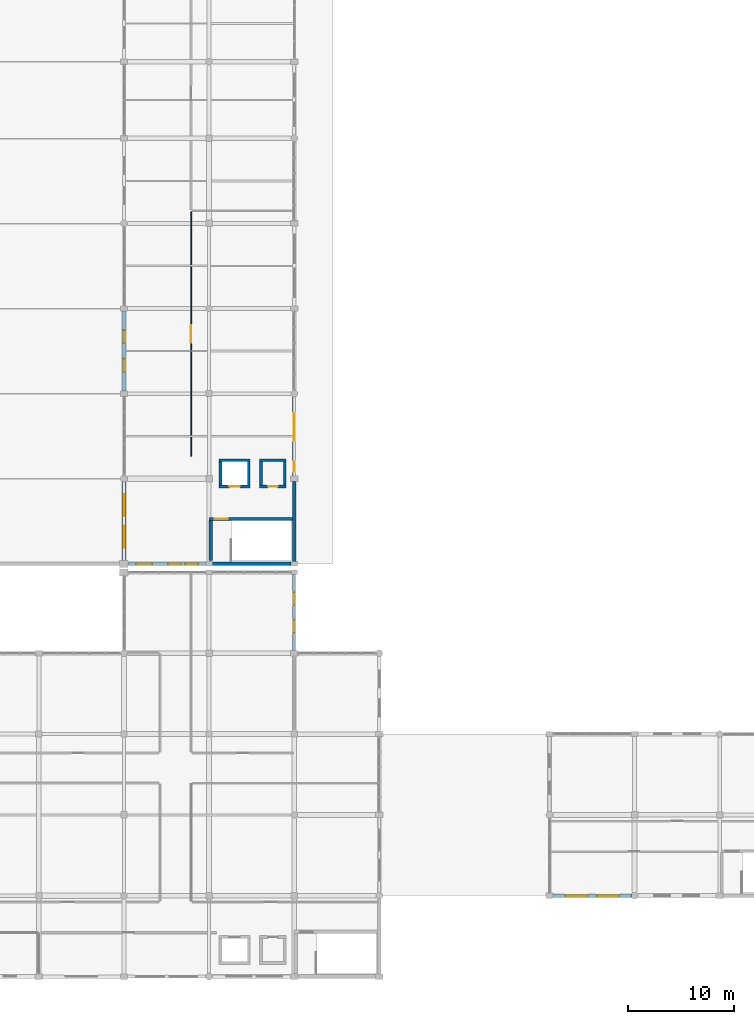
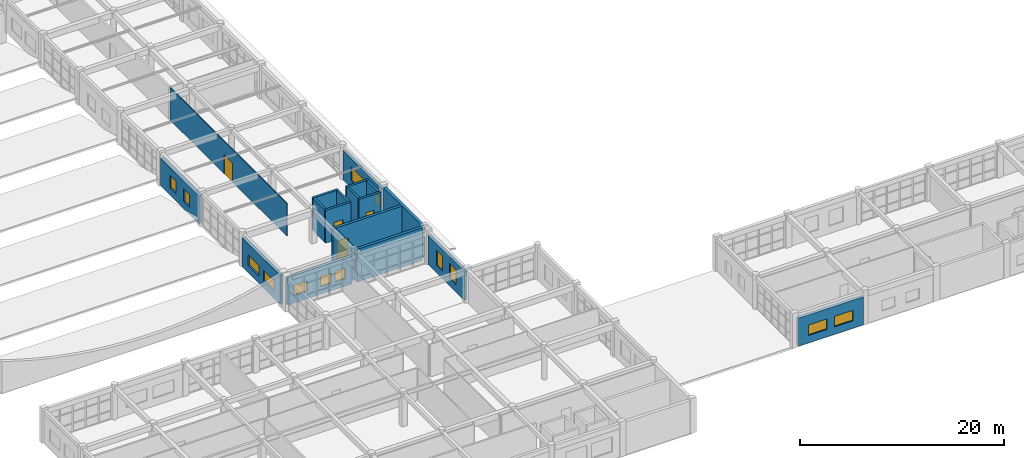
# One storey, part 103 of 121: 19 walls, 13 windows, 4 doors, 17 openings.
"""IFC4 building model written with IfcOpenShell, lengths in metres."""

from ifc_helpers import new_model, si_unit, direction, frame, frame_2d, origin, place, context, subcontext, project, spatial, rectangle, extrude, material, layer, layer_set, type_object, element, fill, save


model = new_model("IFC4")

# Units and contexts
model_context = context("Model", 3, precision=1e-05, world=origin(), true_north=direction((0.0, 1.0)))
body_context = subcontext(model_context, "Body", "Model", "MODEL_VIEW")
ifc_project = project(units=[si_unit("LENGTHUNIT", "METRE"), si_unit("AREAUNIT", "SQUARE_METRE"), si_unit("VOLUMEUNIT", "CUBIC_METRE"), si_unit("PLANEANGLEUNIT", "RADIAN"), si_unit("MASSUNIT", "GRAM", prefix="KILO")], contexts=[model_context])

# Site, building, storey
site_placement = place(None, origin())
site = spatial("IfcSite", under=ifc_project, at=site_placement, CompositionType="ELEMENT")
building_placement = place(site_placement, origin())
building = spatial("IfcBuilding", under=site, at=building_placement, Name="Kharva Crest Polytechnic", CompositionType="ELEMENT")
storey_placement = place(building_placement, frame((0.0, 0.0, 13.199951171875)))
storey = spatial("IfcBuildingStorey", under=building, at=storey_placement, Name="L03", CompositionType="ELEMENT", Elevation=13.199951171875)

# Wall, opening, door
ifc_material_1 = material(Name="Concrete C40/50", Category="concrete")
ifc_layer_1 = layer(ifc_material_1, 0.300048828125, Name="Concrete C40/50")
ifc_layer_set_1 = layer_set([ifc_layer_1], Name="Concrete C40/50")
wall_type_1 = type_object("IfcWallType", Name="WL-CORE-CW2-300", PredefinedType="SHEAR", material=ifc_layer_set_1)
wall_1_placement = place(storey_placement, frame((40.0, 43.010009765625, 0.0), z_axis=(0.0, 0.0, 1.0), x_axis=(1.0, 0.0, 0.0)))
wall_1 = element("IfcWall", 1, at=wall_1_placement, inside=storey, type_object=wall_type_1, Name="L03 West Workshop Core C2 North Shear Wall", PredefinedType="SHEAR", context=body_context, shape_type="SweptSolid", body=[
    extrude(rectangle(XDim=8.0, YDim=0.300048828125, at=frame_2d((4.0, 0.0))), origin(), (0.0, 0.0, 1.0), 3.920166015625),
])
opening_1_placement = place(wall_1_placement, frame((0.550048828125, 0.0, 0.0)))
opening_1 = element("IfcOpeningElement", 2, at=opening_1_placement, cuts=wall_1, Name="Opening FD1", PredefinedType="OPENING", context=body_context, shape_type="SweptSolid", body=[
    extrude(rectangle(XDim=1.199951171875, YDim=2.199951171875, at=frame_2d((0.60009765625, 1.10009765625))), frame((0.0, 0.159912109375, 0.0), z_axis=(0.0, -1.0, 0.0), x_axis=(1.0, 0.0, 0.0)), (0.0, 0.0, 1.0), 0.320068359375),
])
ifc_material_2 = material(Name="Teak timber", Category="wood")
door_type_1 = type_object("IfcDoorType", Name="DR-STAIR-1200X2200", OperationType="NOTDEFINED", PredefinedType="DOOR", material=ifc_material_2)
door_1_placement = place(opening_1_placement, origin())
door_1 = element("IfcDoor", 3, at=door_1_placement, inside=storey, type_object=door_type_1, Name="L03 ST-02 Stair Door", OperationType="SINGLE_SWING_LEFT", OverallHeight=2.199951171875, OverallWidth=1.199951171875, PredefinedType="DOOR", context=body_context, shape_type="SweptSolid", body=[
    extrude(rectangle(XDim=1.199951171875, YDim=2.199951171875, at=frame_2d((0.60009765625, 1.10009765625))), frame((0.0, 0.02490234375, 0.0), z_axis=(0.0, -1.0, 0.0), x_axis=(1.0, 0.0, 0.0)), (0.0, 0.0, 1.0), 0.050048828125),
])
fill(opening_1, door_1)

# Wall
wall_2_placement = place(storey_placement, frame((40.14990234375, 39.10009765625, 0.0), z_axis=(0.0, 0.0, 1.0), x_axis=(0.0, 1.0, 0.0)))
element("IfcWall", 4, at=wall_2_placement, inside=storey, type_object=wall_type_1, Name="L03 West Workshop Core C2 West Shear Wall", PredefinedType="SHEAR", context=body_context, shape_type="SweptSolid", body=[
    extrude(rectangle(XDim=3.760009765625, YDim=0.300048828125, at=frame_2d((1.8798828125, 0.0))), origin(), (0.0, 0.0, 1.0), 3.920166015625),
])

# Wall, openings, windows
ifc_material_3 = material(Name="Kiln brick masonry", Category="masonry")
ifc_layer_2 = layer(ifc_material_3, 0.27490234375, Name="Kiln brick masonry")
ifc_layer_set_2 = layer_set([ifc_layer_2], Name="Kiln brick masonry")
wall_type_2 = type_object("IfcWallType", Name="WL-EXT-BRK-275", PredefinedType="SOLIDWALL", material=ifc_layer_set_2)
wall_3_placement = place(storey_placement, frame((48.0, 30.64501953125, 0.0), z_axis=(0.0, 0.0, 1.0), x_axis=(0.0, 1.0, 0.0)))
wall_3 = element("IfcWall", 5, at=wall_3_placement, inside=storey, type_object=wall_type_2, Name="L03 Exterior Brick Wall 308", PredefinedType="SOLIDWALL", context=body_context, shape_type="SweptSolid", body=[
    extrude(rectangle(XDim=7.159912109375, YDim=0.27490234375, at=frame_2d((3.580078125, 0.0))), origin(), (0.0, 0.0, 1.0), 3.5),
])
opening_2_placement = place(wall_3_placement, frame((1.693115234375, 0.0, 0.89990234375)))
opening_2 = element("IfcOpeningElement", 6, at=opening_2_placement, cuts=wall_3, Name="Opening W08", PredefinedType="OPENING", context=body_context, shape_type="SweptSolid", body=[
    extrude(rectangle(XDim=1.199951171875, YDim=1.800048828125, at=frame_2d((0.60009765625, 0.89990234375))), frame((0.0, 0.1474609375, 0.0), z_axis=(0.0, -1.0, 0.0), x_axis=(1.0, 0.0, 0.0)), (0.0, 0.0, 1.0), 0.294921875),
])
opening_3_placement = place(wall_3_placement, frame((4.26708984375, 0.0, 0.89990234375)))
opening_3 = element("IfcOpeningElement", 7, at=opening_3_placement, cuts=wall_3, Name="Opening W08", PredefinedType="OPENING", context=body_context, shape_type="SweptSolid", body=[
    extrude(rectangle(XDim=1.199951171875, YDim=1.800048828125, at=frame_2d((0.60009765625, 0.89990234375))), frame((0.0, 0.1474609375, 0.0), z_axis=(0.0, -1.0, 0.0), x_axis=(1.0, 0.0, 0.0)), (0.0, 0.0, 1.0), 0.294921875),
])
ifc_material_4 = material(Name="Anodised aluminium", Category="aluminium")
window_type_1 = type_object("IfcWindowType", Name="WIN-ALU-1200X1800", PartitioningType="SINGLE_PANEL", PredefinedType="WINDOW", material=ifc_material_4)
window_1_placement = place(opening_2_placement, origin())
window_1 = element("IfcWindow", 8, at=window_1_placement, inside=storey, type_object=window_type_1, Name="L03 Exterior Window 412", OverallHeight=1.800048828125, OverallWidth=1.199951171875, PartitioningType="SINGLE_PANEL", PredefinedType="WINDOW", context=body_context, shape_type="SweptSolid", body=[
    extrude(rectangle(XDim=1.199951171875, YDim=1.800048828125, at=frame_2d((0.60009765625, 0.89990234375))), frame((0.0, 0.030029296875, 0.0), z_axis=(0.0, -1.0, 0.0), x_axis=(1.0, 0.0, 0.0)), (0.0, 0.0, 1.0), 0.06005859375),
])
fill(opening_2, window_1)
window_2_placement = place(opening_3_placement, origin())
window_2 = element("IfcWindow", 9, at=window_2_placement, inside=storey, type_object=window_type_1, Name="L03 Exterior Window 413", OverallHeight=1.800048828125, OverallWidth=1.199951171875, PartitioningType="SINGLE_PANEL", PredefinedType="WINDOW", context=body_context, shape_type="SweptSolid", body=[
    extrude(rectangle(XDim=1.199951171875, YDim=1.800048828125, at=frame_2d((0.60009765625, 0.89990234375))), frame((0.0, 0.030029296875, 0.0), z_axis=(0.0, -1.0, 0.0), x_axis=(1.0, 0.0, 0.0)), (0.0, 0.0, 1.0), 0.06005859375),
])
fill(opening_3, window_2)

ifc_layer_3 = layer(ifc_material_3, 0.2900390625, Name="Kiln brick masonry")
ifc_layer_set_3 = layer_set([ifc_layer_3], Name="Kiln brick masonry")
wall_type_3 = type_object("IfcWallType", Name="WL-EXT-BRK-290", PredefinedType="SOLIDWALL", material=ifc_layer_set_3)
wall_4_placement = place(storey_placement, frame((48.0, 47.044921875, 0.0), z_axis=(0.0, 0.0, 1.0), x_axis=(0.0, 1.0, 0.0)))
wall_4 = element("IfcWall", 10, at=wall_4_placement, inside=storey, type_object=wall_type_3, Name="L03 Exterior Brick Wall 364", PredefinedType="SOLIDWALL", context=body_context, shape_type="SweptSolid", body=[
    extrude(rectangle(XDim=7.486328125, YDim=0.2900390625, at=frame_2d((3.7431640625, 0.0))), origin(), (0.0, 0.0, 1.0), 3.52001953125),
])
opening_4_placement = place(wall_4_placement, frame((0.402099609375, 0.0, 0.89990234375)))
opening_4 = element("IfcOpeningElement", 11, at=opening_4_placement, cuts=wall_4, Name="Opening W22", PredefinedType="OPENING", context=body_context, shape_type="SweptSolid", body=[
    extrude(rectangle(XDim=0.949951171875, YDim=1.25, at=frame_2d((0.47509765625, 0.625))), frame((0.0, 0.155029296875, 0.0), z_axis=(0.0, -1.0, 0.0), x_axis=(1.0, 0.0, 0.0)), (0.0, 0.0, 1.0), 0.31005859375),
])
opening_5_placement = place(wall_4_placement, frame((3.321044921875, 0.0, 0.89990234375)))
opening_5 = element("IfcOpeningElement", 12, at=opening_5_placement, cuts=wall_4, Name="Opening W24", PredefinedType="OPENING", context=body_context, shape_type="SweptSolid", body=[
    extrude(rectangle(XDim=2.60009765625, YDim=1.64990234375, at=frame_2d((1.300048828125, 0.824951171875))), frame((0.0, 0.155029296875, 0.0), z_axis=(0.0, -1.0, 0.0), x_axis=(1.0, 0.0, 0.0)), (0.0, 0.0, 1.0), 0.31005859375),
])
window_type_2 = type_object("IfcWindowType", Name="WIN-ALU-2600X1650", PartitioningType="SINGLE_PANEL", PredefinedType="WINDOW", material=ifc_material_4)
window_3_placement = place(opening_5_placement, origin())
window_3 = element("IfcWindow", 13, at=window_3_placement, inside=storey, type_object=window_type_2, Name="L03 Exterior Window 500", OverallHeight=1.64990234375, OverallWidth=2.60009765625, PartitioningType="SINGLE_PANEL", PredefinedType="WINDOW", context=body_context, shape_type="SweptSolid", body=[
    extrude(rectangle(XDim=2.60009765625, YDim=1.64990234375, at=frame_2d((1.300048828125, 0.824951171875))), frame((0.0, 0.030029296875, 0.0), z_axis=(0.0, -1.0, 0.0), x_axis=(1.0, 0.0, 0.0)), (0.0, 0.0, 1.0), 0.06005859375),
])
fill(opening_5, window_3)
window_type_3 = type_object("IfcWindowType", Name="WIN-ALU-950X1250", PartitioningType="SINGLE_PANEL", PredefinedType="WINDOW", material=ifc_material_4)
window_4_placement = place(opening_4_placement, origin())
window_4 = element("IfcWindow", 14, at=window_4_placement, inside=storey, type_object=window_type_3, Name="L03 Exterior Window 499", OverallHeight=1.25, OverallWidth=0.949951171875, PartitioningType="SINGLE_PANEL", PredefinedType="WINDOW", context=body_context, shape_type="SweptSolid", body=[
    extrude(rectangle(XDim=0.949951171875, YDim=1.25, at=frame_2d((0.47509765625, 0.625))), frame((0.0, 0.030029296875, 0.0), z_axis=(0.0, -1.0, 0.0), x_axis=(1.0, 0.0, 0.0)), (0.0, 0.0, 1.0), 0.06005859375),
])
fill(opening_4, window_4)

# Walls
ifc_layer_4 = layer(ifc_material_3, 0.304931640625, Name="Kiln brick masonry")
ifc_layer_set_4 = layer_set([ifc_layer_4], Name="Kiln brick masonry")
wall_type_4 = type_object("IfcWallType", Name="WL-EXT-BRK-305", PredefinedType="SOLIDWALL", material=ifc_layer_set_4)
wall_5_placement = place(storey_placement, frame((48.0, 38.9951171875, 0.0), z_axis=(0.0, 0.0, 1.0), x_axis=(0.0, 1.0, 0.0)))
element("IfcWall", 15, at=wall_5_placement, inside=storey, type_object=wall_type_4, Name="L03 Exterior Brick Wall 363", PredefinedType="SOLIDWALL", context=body_context, shape_type="SweptSolid", body=[
    extrude(rectangle(XDim=7.559814453125, YDim=0.304931640625, at=frame_2d((3.77978515625, 0.0))), origin(), (0.0, 0.0, 1.0), 3.920166015625),
])
ifc_layer_5 = layer(ifc_material_3, 0.320068359375, Name="Kiln brick masonry")
ifc_layer_set_5 = layer_set([ifc_layer_5], Name="Kiln brick masonry")
wall_type_5 = type_object("IfcWallType", Name="WL-EXT-BRK-320", PredefinedType="SOLIDWALL", material=ifc_layer_set_5)
wall_6_placement = place(storey_placement, frame((40.294921875, 38.800048828125, 0.0), z_axis=(0.0, 0.0, 1.0), x_axis=(1.0, 0.0, 0.0)))
element("IfcWall", 16, at=wall_6_placement, inside=storey, type_object=wall_type_5, Name="L03 Exterior Brick Wall 362", PredefinedType="SOLIDWALL", context=body_context, shape_type="SweptSolid", body=[
    extrude(rectangle(XDim=7.41015625, YDim=0.320068359375, at=frame_2d((3.705078125, 0.0))), origin(), (0.0, 0.0, 1.0), 3.920166015625),
])

# Wall, openings, windows
ifc_layer_6 = layer(ifc_material_3, 0.3349609375, Name="Kiln brick masonry")
ifc_layer_set_6 = layer_set([ifc_layer_6], Name="Kiln brick masonry")
wall_type_6 = type_object("IfcWallType", Name="WL-EXT-BRK-335", PredefinedType="SOLIDWALL", material=ifc_layer_set_6)
wall_7_placement = place(storey_placement, frame((72.3349609375, 7.60009765625, 0.0), z_axis=(0.0, 0.0, 1.0), x_axis=(1.0, 0.0, 0.0)))
wall_7 = element("IfcWall", 17, at=wall_7_placement, inside=storey, type_object=wall_type_6, Name="L03 Exterior Brick Wall 314", PredefinedType="SOLIDWALL", context=body_context, shape_type="SweptSolid", body=[
    extrude(rectangle(XDim=7.396240234375, YDim=0.3349609375, at=frame_2d((3.6982421875, 0.0))), origin(), (0.0, 0.0, 1.0), 3.360107421875),
])
opening_6_placement = place(wall_7_placement, frame((1.172119140625, 0.0, 0.89990234375)))
opening_6 = element("IfcOpeningElement", 18, at=opening_6_placement, cuts=wall_7, Name="Opening W18", PredefinedType="OPENING", context=body_context, shape_type="SweptSolid", body=[
    extrude(rectangle(XDim=2.10009765625, YDim=1.25, at=frame_2d((1.050048828125, 0.625))), frame((0.0, 0.177490234375, 0.0), z_axis=(0.0, -1.0, 0.0), x_axis=(1.0, 0.0, 0.0)), (0.0, 0.0, 1.0), 0.35498046875),
])
opening_7_placement = place(wall_7_placement, frame((4.1240234375, 0.0, 0.89990234375)))
opening_7 = element("IfcOpeningElement", 19, at=opening_7_placement, cuts=wall_7, Name="Opening W18", PredefinedType="OPENING", context=body_context, shape_type="SweptSolid", body=[
    extrude(rectangle(XDim=2.10009765625, YDim=1.25, at=frame_2d((1.050048828125, 0.625))), frame((0.0, 0.177490234375, 0.0), z_axis=(0.0, -1.0, 0.0), x_axis=(1.0, 0.0, 0.0)), (0.0, 0.0, 1.0), 0.35498046875),
])
window_type_4 = type_object("IfcWindowType", Name="WIN-ALU-2100X1250", PartitioningType="SINGLE_PANEL", PredefinedType="WINDOW", material=ifc_material_4)
window_5_placement = place(opening_6_placement, origin())
window_5 = element("IfcWindow", 20, at=window_5_placement, inside=storey, type_object=window_type_4, Name="L03 Exterior Window 422", OverallHeight=1.25, OverallWidth=2.10009765625, PartitioningType="SINGLE_PANEL", PredefinedType="WINDOW", context=body_context, shape_type="SweptSolid", body=[
    extrude(rectangle(XDim=2.10009765625, YDim=1.25, at=frame_2d((1.050048828125, 0.625))), frame((0.0, 0.030029296875, 0.0), z_axis=(0.0, -1.0, 0.0), x_axis=(1.0, 0.0, 0.0)), (0.0, 0.0, 1.0), 0.06005859375),
])
fill(opening_6, window_5)
window_6_placement = place(opening_7_placement, origin())
window_6 = element("IfcWindow", 21, at=window_6_placement, inside=storey, type_object=window_type_4, Name="L03 Exterior Window 423", OverallHeight=1.25, OverallWidth=2.10009765625, PartitioningType="SINGLE_PANEL", PredefinedType="WINDOW", context=body_context, shape_type="SweptSolid", body=[
    extrude(rectangle(XDim=2.10009765625, YDim=1.25, at=frame_2d((1.050048828125, 0.625))), frame((0.0, 0.030029296875, 0.0), z_axis=(0.0, -1.0, 0.0), x_axis=(1.0, 0.0, 0.0)), (0.0, 0.0, 1.0), 0.06005859375),
])
fill(opening_7, window_6)

wall_8_placement = place(storey_placement, frame((32.39501953125, 38.800048828125, 0.0), z_axis=(0.0, 0.0, 1.0), x_axis=(1.0, 0.0, 0.0)))
wall_8 = element("IfcWall", 22, at=wall_8_placement, inside=storey, type_object=wall_type_6, Name="L03 Exterior Brick Wall 361", PredefinedType="SOLIDWALL", context=body_context, shape_type="SweptSolid", body=[
    extrude(rectangle(XDim=7.31005859375, YDim=0.3349609375, at=frame_2d((3.655029296875, 0.0))), origin(), (0.0, 0.0, 1.0), 3.31005859375),
])
opening_8_placement = place(wall_8_placement, frame((0.7529296875, 0.0, 0.89990234375)))
opening_8 = element("IfcOpeningElement", 23, at=opening_8_placement, cuts=wall_8, Name="Opening W20", PredefinedType="OPENING", context=body_context, shape_type="SweptSolid", body=[
    extrude(rectangle(XDim=1.5, YDim=1.25, at=frame_2d((0.75, 0.625))), frame((0.0, 0.177490234375, 0.0), z_axis=(0.0, -1.0, 0.0), x_axis=(1.0, 0.0, 0.0)), (0.0, 0.0, 1.0), 0.35498046875),
])
opening_9_placement = place(wall_8_placement, frame((3.7470703125, 0.0, 0.89990234375)))
opening_9 = element("IfcOpeningElement", 24, at=opening_9_placement, cuts=wall_8, Name="Opening W21", PredefinedType="OPENING", context=body_context, shape_type="SweptSolid", body=[
    extrude(rectangle(XDim=1.199951171875, YDim=1.25, at=frame_2d((0.60009765625, 0.625))), frame((0.0, 0.177490234375, 0.0), z_axis=(0.0, -1.0, 0.0), x_axis=(1.0, 0.0, 0.0)), (0.0, 0.0, 1.0), 0.35498046875),
])
opening_10_placement = place(wall_8_placement, frame((5.367919921875, 0.0, 0.89990234375)))
opening_10 = element("IfcOpeningElement", 25, at=opening_10_placement, cuts=wall_8, Name="Opening W21", PredefinedType="OPENING", context=body_context, shape_type="SweptSolid", body=[
    extrude(rectangle(XDim=1.199951171875, YDim=1.25, at=frame_2d((0.60009765625, 0.625))), frame((0.0, 0.177490234375, 0.0), z_axis=(0.0, -1.0, 0.0), x_axis=(1.0, 0.0, 0.0)), (0.0, 0.0, 1.0), 0.35498046875),
])
window_type_5 = type_object("IfcWindowType", Name="WIN-ALU-1200X1250", PartitioningType="SINGLE_PANEL", PredefinedType="WINDOW", material=ifc_material_4)
window_7_placement = place(opening_9_placement, origin())
window_7 = element("IfcWindow", 26, at=window_7_placement, inside=storey, type_object=window_type_5, Name="L03 Exterior Window 497", OverallHeight=1.25, OverallWidth=1.199951171875, PartitioningType="SINGLE_PANEL", PredefinedType="WINDOW", context=body_context, shape_type="SweptSolid", body=[
    extrude(rectangle(XDim=1.199951171875, YDim=1.25, at=frame_2d((0.60009765625, 0.625))), frame((0.0, 0.030029296875, 0.0), z_axis=(0.0, -1.0, 0.0), x_axis=(1.0, 0.0, 0.0)), (0.0, 0.0, 1.0), 0.06005859375),
])
fill(opening_9, window_7)
window_8_placement = place(opening_10_placement, origin())
window_8 = element("IfcWindow", 27, at=window_8_placement, inside=storey, type_object=window_type_5, Name="L03 Exterior Window 498", OverallHeight=1.25, OverallWidth=1.199951171875, PartitioningType="SINGLE_PANEL", PredefinedType="WINDOW", context=body_context, shape_type="SweptSolid", body=[
    extrude(rectangle(XDim=1.199951171875, YDim=1.25, at=frame_2d((0.60009765625, 0.625))), frame((0.0, 0.030029296875, 0.0), z_axis=(0.0, -1.0, 0.0), x_axis=(1.0, 0.0, 0.0)), (0.0, 0.0, 1.0), 0.06005859375),
])
fill(opening_10, window_8)
window_type_6 = type_object("IfcWindowType", Name="WIN-ALU-1500X1250", PartitioningType="SINGLE_PANEL", PredefinedType="WINDOW", material=ifc_material_4)
window_9_placement = place(opening_8_placement, origin())
window_9 = element("IfcWindow", 28, at=window_9_placement, inside=storey, type_object=window_type_6, Name="L03 Exterior Window 496", OverallHeight=1.25, OverallWidth=1.5, PartitioningType="SINGLE_PANEL", PredefinedType="WINDOW", context=body_context, shape_type="SweptSolid", body=[
    extrude(rectangle(XDim=1.5, YDim=1.25, at=frame_2d((0.75, 0.625))), frame((0.0, 0.030029296875, 0.0), z_axis=(0.0, -1.0, 0.0), x_axis=(1.0, 0.0, 0.0)), (0.0, 0.0, 1.0), 0.06005859375),
])
fill(opening_8, window_9)

ifc_layer_7 = layer(ifc_material_3, 0.35009765625, Name="Kiln brick masonry")
ifc_layer_set_7 = layer_set([ifc_layer_7], Name="Kiln brick masonry")
wall_type_7 = type_object("IfcWallType", Name="WL-EXT-BRK-350", PredefinedType="SOLIDWALL", material=ifc_layer_set_7)
wall_9_placement = place(storey_placement, frame((32.0, 46.53125, 0.0), z_axis=(0.0, 0.0, 1.0), x_axis=(0.0, -1.0, 0.0)))
wall_9 = element("IfcWall", 29, at=wall_9_placement, inside=storey, type_object=wall_type_7, Name="L03 Exterior Brick Wall 360", PredefinedType="SOLIDWALL", context=body_context, shape_type="SweptSolid", body=[
    extrude(rectangle(XDim=7.4111328125, YDim=0.35009765625, at=frame_2d((3.70556640625, 0.0))), origin(), (0.0, 0.0, 1.0), 3.5),
])
opening_11_placement = place(wall_9_placement, frame((1.177001953125, 0.0, 0.89990234375)))
opening_11 = element("IfcOpeningElement", 30, at=opening_11_placement, cuts=wall_9, Name="Opening W18", PredefinedType="OPENING", context=body_context, shape_type="SweptSolid", body=[
    extrude(rectangle(XDim=2.10009765625, YDim=1.25, at=frame_2d((1.050048828125, 0.625))), frame((0.0, 0.18505859375, 0.0), z_axis=(0.0, -1.0, 0.0), x_axis=(1.0, 0.0, 0.0)), (0.0, 0.0, 1.0), 0.3701171875),
])
opening_12_placement = place(wall_9_placement, frame((4.134033203125, 0.0, 0.89990234375)))
opening_12 = element("IfcOpeningElement", 31, at=opening_12_placement, cuts=wall_9, Name="Opening W18", PredefinedType="OPENING", context=body_context, shape_type="SweptSolid", body=[
    extrude(rectangle(XDim=2.10009765625, YDim=1.25, at=frame_2d((1.050048828125, 0.625))), frame((0.0, 0.18505859375, 0.0), z_axis=(0.0, -1.0, 0.0), x_axis=(1.0, 0.0, 0.0)), (0.0, 0.0, 1.0), 0.3701171875),
])
window_10_placement = place(opening_11_placement, origin())
window_10 = element("IfcWindow", 32, at=window_10_placement, inside=storey, type_object=window_type_4, Name="L03 Exterior Window 494", OverallHeight=1.25, OverallWidth=2.10009765625, PartitioningType="SINGLE_PANEL", PredefinedType="WINDOW", context=body_context, shape_type="SweptSolid", body=[
    extrude(rectangle(XDim=2.10009765625, YDim=1.25, at=frame_2d((1.050048828125, 0.625))), frame((0.0, 0.030029296875, 0.0), z_axis=(0.0, -1.0, 0.0), x_axis=(1.0, 0.0, 0.0)), (0.0, 0.0, 1.0), 0.06005859375),
])
fill(opening_11, window_10)
window_11_placement = place(opening_12_placement, origin())
window_11 = element("IfcWindow", 33, at=window_11_placement, inside=storey, type_object=window_type_4, Name="L03 Exterior Window 495", OverallHeight=1.25, OverallWidth=2.10009765625, PartitioningType="SINGLE_PANEL", PredefinedType="WINDOW", context=body_context, shape_type="SweptSolid", body=[
    extrude(rectangle(XDim=2.10009765625, YDim=1.25, at=frame_2d((1.050048828125, 0.625))), frame((0.0, 0.030029296875, 0.0), z_axis=(0.0, -1.0, 0.0), x_axis=(1.0, 0.0, 0.0)), (0.0, 0.0, 1.0), 0.06005859375),
])
fill(opening_12, window_11)

ifc_layer_8 = layer(ifc_material_3, 0.3798828125, Name="Kiln brick masonry")
ifc_layer_set_8 = layer_set([ifc_layer_8], Name="Kiln brick masonry")
wall_type_8 = type_object("IfcWallType", Name="WL-EXT-BRK-380", PredefinedType="SOLIDWALL", material=ifc_layer_set_8)
wall_10_placement = place(storey_placement, frame((32.0, 62.554931640625, 0.0), z_axis=(0.0, 0.0, 1.0), x_axis=(0.0, -1.0, 0.0)))
wall_10 = element("IfcWall", 34, at=wall_10_placement, inside=storey, type_object=wall_type_8, Name="L03 Exterior Brick Wall 359", PredefinedType="SOLIDWALL", context=body_context, shape_type="SweptSolid", body=[
    extrude(rectangle(XDim=7.510009765625, YDim=0.3798828125, at=frame_2d((3.7548828125, 0.0))), origin(), (0.0, 0.0, 1.0), 3.340087890625),
])
opening_13_placement = place(wall_10_placement, frame((1.81005859375, 0.0, 0.89990234375)))
opening_13 = element("IfcOpeningElement", 35, at=opening_13_placement, cuts=wall_10, Name="Opening W16", PredefinedType="OPENING", context=body_context, shape_type="SweptSolid", body=[
    extrude(rectangle(XDim=1.199951171875, YDim=1.5, at=frame_2d((0.60009765625, 0.75))), frame((0.0, 0.199951171875, 0.0), z_axis=(0.0, -1.0, 0.0), x_axis=(1.0, 0.0, 0.0)), (0.0, 0.0, 1.0), 0.39990234375),
])
opening_14_placement = place(wall_10_placement, frame((4.5, 0.0, 0.89990234375)))
opening_14 = element("IfcOpeningElement", 36, at=opening_14_placement, cuts=wall_10, Name="Opening W16", PredefinedType="OPENING", context=body_context, shape_type="SweptSolid", body=[
    extrude(rectangle(XDim=1.199951171875, YDim=1.5, at=frame_2d((0.60009765625, 0.75))), frame((0.0, 0.199951171875, 0.0), z_axis=(0.0, -1.0, 0.0), x_axis=(1.0, 0.0, 0.0)), (0.0, 0.0, 1.0), 0.39990234375),
])
window_type_7 = type_object("IfcWindowType", Name="WIN-ALU-1200X1500", PartitioningType="SINGLE_PANEL", PredefinedType="WINDOW", material=ifc_material_4)
window_12_placement = place(opening_13_placement, origin())
window_12 = element("IfcWindow", 37, at=window_12_placement, inside=storey, type_object=window_type_7, Name="L03 Exterior Window 492", OverallHeight=1.5, OverallWidth=1.199951171875, PartitioningType="SINGLE_PANEL", PredefinedType="WINDOW", context=body_context, shape_type="SweptSolid", body=[
    extrude(rectangle(XDim=1.199951171875, YDim=1.5, at=frame_2d((0.60009765625, 0.75))), frame((0.0, 0.030029296875, 0.0), z_axis=(0.0, -1.0, 0.0), x_axis=(1.0, 0.0, 0.0)), (0.0, 0.0, 1.0), 0.06005859375),
])
fill(opening_13, window_12)
window_13_placement = place(opening_14_placement, origin())
window_13 = element("IfcWindow", 38, at=window_13_placement, inside=storey, type_object=window_type_7, Name="L03 Exterior Window 493", OverallHeight=1.5, OverallWidth=1.199951171875, PartitioningType="SINGLE_PANEL", PredefinedType="WINDOW", context=body_context, shape_type="SweptSolid", body=[
    extrude(rectangle(XDim=1.199951171875, YDim=1.5, at=frame_2d((0.60009765625, 0.75))), frame((0.0, 0.030029296875, 0.0), z_axis=(0.0, -1.0, 0.0), x_axis=(1.0, 0.0, 0.0)), (0.0, 0.0, 1.0), 0.06005859375),
])
fill(opening_14, window_13)

# Wall, opening, door
ifc_layer_9 = layer(ifc_material_3, 0.10009765625, Name="Kiln brick masonry")
ifc_layer_set_9 = layer_set([ifc_layer_9], Name="Kiln brick masonry")
wall_type_9 = type_object("IfcWallType", Name="WL-PART-100", PredefinedType="PARTITIONING", material=ifc_layer_set_9)
wall_11_placement = place(storey_placement, frame((38.31005859375, 48.909912109375, 0.0), z_axis=(0.0, 0.0, 1.0), x_axis=(0.0, 1.0, 0.0)))
wall_11 = element("IfcWall", 39, at=wall_11_placement, inside=storey, type_object=wall_type_9, Name="L03 Interior Partition 268", PredefinedType="PARTITIONING", context=body_context, shape_type="SweptSolid", body=[
    extrude(rectangle(XDim=22.97998046875, YDim=0.10009765625, at=frame_2d((11.489990234375, 0.0))), origin(), (0.0, 0.0, 1.0), 3.900146484375),
])
opening_15_placement = place(wall_11_placement, frame((10.6650390625, 0.0, 0.0)))
opening_15 = element("IfcOpeningElement", 40, at=opening_15_placement, cuts=wall_11, Name="Opening ID3", PredefinedType="OPENING", context=body_context, shape_type="SweptSolid", body=[
    extrude(rectangle(XDim=1.64990234375, YDim=2.300048828125, at=frame_2d((0.824951171875, 1.14990234375))), frame((0.0, 0.06005859375, 0.0), z_axis=(0.0, -1.0, 0.0), x_axis=(1.0, 0.0, 0.0)), (0.0, 0.0, 1.0), 0.1201171875),
])
door_type_2 = type_object("IfcDoorType", Name="DR-WKSHP-DBL-1650X2300", OperationType="NOTDEFINED", PredefinedType="DOOR", material=ifc_material_2)
door_2_placement = place(opening_15_placement, origin())
door_2 = element("IfcDoor", 41, at=door_2_placement, inside=storey, type_object=door_type_2, Name="L03 Rapid Prototyping and Laser Workshop Door", OperationType="DOUBLE_DOOR_SINGLE_SWING", OverallHeight=2.300048828125, OverallWidth=1.64990234375, PredefinedType="DOOR", context=body_context, shape_type="SweptSolid", body=[
    extrude(rectangle(XDim=1.64990234375, YDim=2.300048828125, at=frame_2d((0.824951171875, 1.14990234375))), frame((0.0, 0.02490234375, 0.0), z_axis=(0.0, -1.0, 0.0), x_axis=(1.0, 0.0, 0.0)), (0.0, 0.0, 1.0), 0.050048828125),
])
fill(opening_15, door_2)

ifc_layer_10 = layer(ifc_material_1, 0.25, Name="Concrete C40/50")
ifc_layer_set_10 = layer_set([ifc_layer_10], Name="Concrete C40/50")
wall_type_10 = type_object("IfcWallType", Name="WL-SHEAR-SW1-250", PredefinedType="SHEAR", material=ifc_layer_set_10)
wall_12_placement = place(storey_placement, frame((40.949951171875, 46.074951171875, 0.0), z_axis=(0.0, 0.0, 1.0), x_axis=(1.0, 0.0, 0.0)))
wall_12 = element("IfcWall", 42, at=wall_12_placement, inside=storey, type_object=wall_type_10, Name="L03 Lift PL2 South Shaft Wall", PredefinedType="SHEAR", context=body_context, shape_type="SweptSolid", body=[
    extrude(rectangle(XDim=2.900146484375, YDim=0.25, at=frame_2d((1.4501953125, 0.0))), origin(), (0.0, 0.0, 1.0), 3.920166015625),
])
opening_16_placement = place(wall_12_placement, frame((0.949951171875, 0.0, 0.0)))
opening_16 = element("IfcOpeningElement", 43, at=opening_16_placement, cuts=wall_12, Name="Opening LD2", PredefinedType="OPENING", context=body_context, shape_type="SweptSolid", body=[
    extrude(rectangle(XDim=1.0, YDim=2.14990234375, at=frame_2d((0.5, 1.074951171875))), frame((0.0, 0.135009765625, 0.0), z_axis=(0.0, -1.0, 0.0), x_axis=(1.0, 0.0, 0.0)), (0.0, 0.0, 1.0), 0.27001953125),
])
door_type_3 = type_object("IfcDoorType", Name="DR-LIFT-LD2-1000X2150", OperationType="SLIDING_TO_LEFT", PredefinedType="DOOR", material=ifc_material_4)
door_3_placement = place(opening_16_placement, origin())
door_3 = element("IfcDoor", 44, at=door_3_placement, inside=storey, type_object=door_type_3, Name="L03 Lift PL2 Sliding Landing Door", OperationType="SLIDING_TO_LEFT", OverallHeight=2.14990234375, OverallWidth=1.0, PredefinedType="DOOR", context=body_context, shape_type="SweptSolid", body=[
    extrude(rectangle(XDim=1.0, YDim=2.14990234375, at=frame_2d((0.5, 1.074951171875))), frame((0.0, 0.02490234375, 0.0), z_axis=(0.0, -1.0, 0.0), x_axis=(1.0, 0.0, 0.0)), (0.0, 0.0, 1.0), 0.050048828125),
])
fill(opening_16, door_3)

# Walls
wall_13_placement = place(storey_placement, frame((40.949951171875, 48.52490234375, 0.0), z_axis=(0.0, 0.0, 1.0), x_axis=(1.0, 0.0, 0.0)))
element("IfcWall", 45, at=wall_13_placement, inside=storey, type_object=wall_type_10, Name="L03 Lift PL2 North Shaft Wall", PredefinedType="SHEAR", context=body_context, shape_type="SweptSolid", body=[
    extrude(rectangle(XDim=2.900146484375, YDim=0.25, at=frame_2d((1.4501953125, 0.0))), origin(), (0.0, 0.0, 1.0), 3.920166015625),
])
for number, where, z_axis, x_axis, name in (
    (46, (41.074951171875, 46.199951171875, 0.0), (0.0, 0.0, 1.0), (0.0, 1.0, 0.0), "L03 Lift PL2 West Shaft Wall"),
    (47, (43.72509765625, 46.199951171875, 0.0), (0.0, 0.0, 1.0), (0.0, 1.0, 0.0), "L03 Lift PL2 East Shaft Wall"),
):
    element("IfcWall", number, at=place(storey_placement, frame(where, z_axis=z_axis, x_axis=x_axis)), inside=storey, type_object=wall_type_10, Name=name, PredefinedType="SHEAR", context=body_context, shape_type="SweptSolid", body=[
        extrude(rectangle(XDim=2.199951171875, YDim=0.25, at=frame_2d((1.10009765625, 0.0))), origin(), (0.0, 0.0, 1.0), 3.920166015625),
    ])

# Wall, opening, door
wall_14_placement = place(storey_placement, frame((44.75, 46.074951171875, 0.0), z_axis=(0.0, 0.0, 1.0), x_axis=(1.0, 0.0, 0.0)))
wall_14 = element("IfcWall", 48, at=wall_14_placement, inside=storey, type_object=wall_type_10, Name="L03 Core C2 Riser South Wall", PredefinedType="SHEAR", context=body_context, shape_type="SweptSolid", body=[
    extrude(rectangle(XDim=2.5, YDim=0.25, at=frame_2d((1.25, 0.0))), origin(), (0.0, 0.0, 1.0), 3.920166015625),
])
opening_17_placement = place(wall_14_placement, frame((0.800048828125, 0.0, 0.0)))
opening_17 = element("IfcOpeningElement", 49, at=opening_17_placement, cuts=wall_14, Name="Opening FD3", PredefinedType="OPENING", context=body_context, shape_type="SweptSolid", body=[
    extrude(rectangle(XDim=0.89990234375, YDim=2.050048828125, at=frame_2d((0.449951171875, 1.02490234375))), frame((0.0, 0.135009765625, 0.0), z_axis=(0.0, -1.0, 0.0), x_axis=(1.0, 0.0, 0.0)), (0.0, 0.0, 1.0), 0.27001953125),
])
door_type_4 = type_object("IfcDoorType", Name="DR-RISER-900X2050", OperationType="NOTDEFINED", PredefinedType="DOOR", material=ifc_material_4)
door_4_placement = place(opening_17_placement, origin())
door_4 = element("IfcDoor", 50, at=door_4_placement, inside=storey, type_object=door_type_4, Name="L03 Core C2 Riser Access Door", OperationType="SINGLE_SWING_RIGHT", OverallHeight=2.050048828125, OverallWidth=0.89990234375, PredefinedType="DOOR", context=body_context, shape_type="SweptSolid", body=[
    extrude(rectangle(XDim=0.89990234375, YDim=2.050048828125, at=frame_2d((0.449951171875, 1.02490234375))), frame((0.0, 0.02490234375, 0.0), z_axis=(0.0, -1.0, 0.0), x_axis=(1.0, 0.0, 0.0)), (0.0, 0.0, 1.0), 0.050048828125),
])
fill(opening_17, door_4)

# Walls
wall_15_placement = place(storey_placement, frame((44.75, 48.52490234375, 0.0), z_axis=(0.0, 0.0, 1.0), x_axis=(1.0, 0.0, 0.0)))
element("IfcWall", 51, at=wall_15_placement, inside=storey, type_object=wall_type_10, Name="L03 Core C2 Riser North Wall", PredefinedType="SHEAR", context=body_context, shape_type="SweptSolid", body=[
    extrude(rectangle(XDim=2.5, YDim=0.25, at=frame_2d((1.25, 0.0))), origin(), (0.0, 0.0, 1.0), 3.920166015625),
])
for number, where, z_axis, x_axis, name in (
    (52, (44.875, 46.199951171875, 0.0), (0.0, 0.0, 1.0), (0.0, 1.0, 0.0), "L03 Core C2 Riser West Wall"),
    (53, (47.125, 46.199951171875, 0.0), (0.0, 0.0, 1.0), (0.0, 1.0, 0.0), "L03 Core C2 Riser East Wall"),
):
    element("IfcWall", number, at=place(storey_placement, frame(where, z_axis=z_axis, x_axis=x_axis)), inside=storey, type_object=wall_type_10, Name=name, PredefinedType="SHEAR", context=body_context, shape_type="SweptSolid", body=[
        extrude(rectangle(XDim=2.199951171875, YDim=0.25, at=frame_2d((1.10009765625, 0.0))), origin(), (0.0, 0.0, 1.0), 3.920166015625),
    ])

save(model, "model.ifc")
